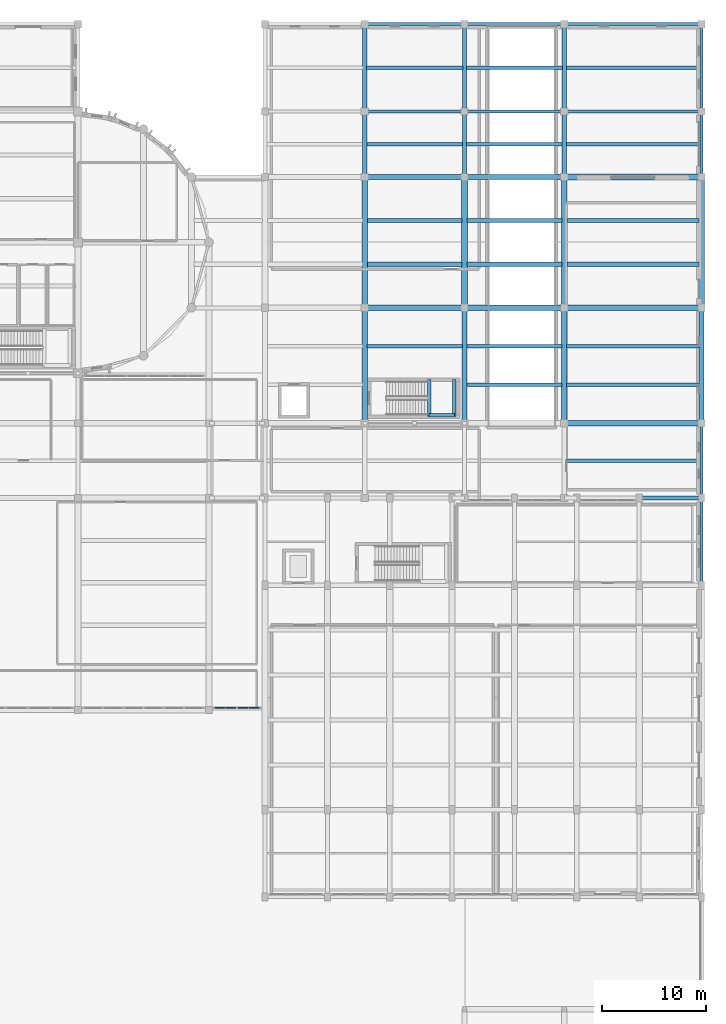
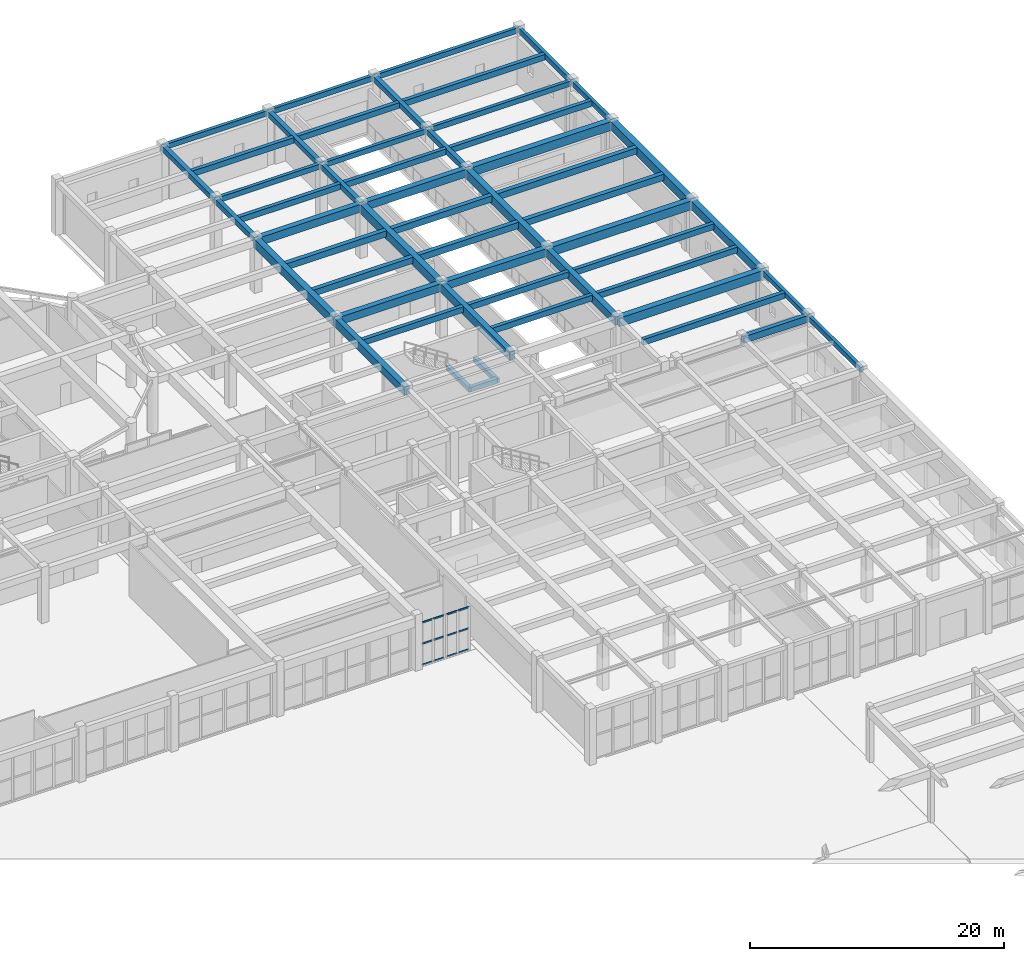
# One storey, part 57 of 98: 53 beams, 12 members, 2 elements without a shape of their own.
"""IFC4 building model written with IfcOpenShell, lengths in metres."""

from ifc_helpers import new_model, si_unit, direction, frame, origin, origin_2d, place, context, subcontext, project, spatial, rectangle, hollow_rectangle, extrude, material, layer, layer_set, material_profile, profile_set, type_object, element, aggregate, save


model = new_model("IFC4")

# Units and contexts
model_context = context("Model", 3, precision=1e-05, world=origin(), true_north=direction((0.0, 1.0)))
body_context = subcontext(model_context, "Body", "Model", "MODEL_VIEW")
ifc_project = project(units=[si_unit("LENGTHUNIT", "METRE"), si_unit("AREAUNIT", "SQUARE_METRE"), si_unit("VOLUMEUNIT", "CUBIC_METRE"), si_unit("PLANEANGLEUNIT", "RADIAN"), si_unit("MASSUNIT", "GRAM", prefix="KILO")], contexts=[model_context])

# Site, building, storey
site_placement = place(None, origin())
site = spatial("IfcSite", under=ifc_project, at=site_placement, CompositionType="ELEMENT")
building_placement = place(site_placement, origin())
building = spatial("IfcBuilding", under=site, at=building_placement, Name="Tarnavel Promenade Courthouse", CompositionType="ELEMENT")
storey_placement = place(building_placement, origin())
storey = spatial("IfcBuildingStorey", under=building, at=storey_placement, Name="L01", CompositionType="ELEMENT", Elevation=0.0)

# Beams
ifc_material_1 = material(Name="Concrete C40/50", Category="concrete")
ifc_material_profile_1 = material_profile(ifc_material_1, rectangle(XDim=0.35009765625, YDim=0.550048828125, at=origin_2d()), Name="PT 350x550")
ifc_profile_set_1 = profile_set([ifc_material_profile_1], Name="Concrete C40/50")
beam_type_1 = type_object("IfcBeamType", Name="Concrete C40/50 BM-PT-350x550 (PT 350x550)", PredefinedType="JOIST", material=ifc_profile_set_1)
beam_1_placement = place(storey_placement, frame((148.969970703125, 70.800048828125, 4.860107421875), z_axis=(1.0, 0.0, 0.0), x_axis=(0.0, 1.0, 0.0)))
element("IfcBeam", 1, at=beam_1_placement, inside=storey, type_object=beam_type_1, Name="L01 Secondary Floor Rib 0945", PredefinedType="JOIST", context=body_context, shape_type="SweptSolid", body=[
    extrude(rectangle(XDim=0.35009765625, YDim=0.550048828125, at=origin_2d()), origin(), (0.0, 0.0, 1.0), 12.909912109375),
])
beam_2_placement = place(storey_placement, frame((129.820068359375, 81.800048828125, 4.860107421875), z_axis=(1.0, 0.0, 0.0), x_axis=(0.0, 1.0, 0.0)))
element("IfcBeam", 2, at=beam_2_placement, inside=storey, type_object=beam_type_1, Name="L01 Secondary Floor Rib 0956", PredefinedType="JOIST", context=body_context, shape_type="SweptSolid", body=[
    extrude(rectangle(XDim=0.35009765625, YDim=0.550048828125, at=origin_2d()), origin(), (0.0, 0.0, 1.0), 9.159912109375),
])
for number, where, z_axis, x_axis, name in (
    (3, (139.419921875, 78.10009765625, 4.860107421875), (1.0, 0.0, 0.0), (0.0, 1.0, 0.0), "L01 Secondary Floor Rib 0957"),
    (4, (139.419921875, 81.800048828125, 4.860107421875), (1.0, 0.0, 0.0), (0.0, 1.0, 0.0), "L01 Secondary Floor Rib 0958"),
):
    element("IfcBeam", number, at=place(storey_placement, frame(where, z_axis=z_axis, x_axis=x_axis)), inside=storey, type_object=beam_type_1, Name=name, PredefinedType="JOIST", context=body_context, shape_type="SweptSolid", body=[
        extrude(rectangle(XDim=0.35009765625, YDim=0.550048828125, at=origin_2d()), origin(), (0.0, 0.0, 1.0), 9.16015625),
    ])
for number, where, z_axis, x_axis, name in (
    (5, (149.02001953125, 78.10009765625, 4.860107421875), (1.0, 0.0, 0.0), (0.0, 1.0, 0.0), "L01 Secondary Floor Rib 0959"),
    (6, (149.02001953125, 81.800048828125, 4.860107421875), (1.0, 0.0, 0.0), (0.0, 1.0, 0.0), "L01 Secondary Floor Rib 0960"),
):
    element("IfcBeam", number, at=place(storey_placement, frame(where, z_axis=z_axis, x_axis=x_axis)), inside=storey, type_object=beam_type_1, Name=name, PredefinedType="JOIST", context=body_context, shape_type="SweptSolid", body=[
        extrude(rectangle(XDim=0.35009765625, YDim=0.550048828125, at=origin_2d()), origin(), (0.0, 0.0, 1.0), 12.760009765625),
    ])
beam_3_placement = place(storey_placement, frame((129.77001953125, 108.60009765625, 4.860107421875), z_axis=(1.0, 0.0, 0.0), x_axis=(0.0, 1.0, 0.0)))
element("IfcBeam", 7, at=beam_3_placement, inside=storey, type_object=beam_type_1, Name="L01 Secondary Floor Rib 1015", PredefinedType="JOIST", context=body_context, shape_type="SweptSolid", body=[
    extrude(rectangle(XDim=0.35009765625, YDim=0.550048828125, at=origin_2d()), origin(), (0.0, 0.0, 1.0), 9.260009765625),
])
beam_4_placement = place(storey_placement, frame((139.3701171875, 108.60009765625, 4.860107421875), z_axis=(1.0, 0.0, 0.0), x_axis=(0.0, 1.0, 0.0)))
element("IfcBeam", 8, at=beam_4_placement, inside=storey, type_object=beam_type_1, Name="L01 Secondary Floor Rib 1016", PredefinedType="JOIST", context=body_context, shape_type="SweptSolid", body=[
    extrude(rectangle(XDim=0.35009765625, YDim=0.550048828125, at=origin_2d()), origin(), (0.0, 0.0, 1.0), 9.259765625),
])
beam_5_placement = place(storey_placement, frame((148.969970703125, 108.60009765625, 4.860107421875), z_axis=(1.0, 0.0, 0.0), x_axis=(0.0, 1.0, 0.0)))
element("IfcBeam", 9, at=beam_5_placement, inside=storey, type_object=beam_type_1, Name="L01 Secondary Floor Rib 1017", PredefinedType="JOIST", context=body_context, shape_type="SweptSolid", body=[
    extrude(rectangle(XDim=0.35009765625, YDim=0.550048828125, at=origin_2d()), origin(), (0.0, 0.0, 1.0), 12.909912109375),
])
beam_6_placement = place(storey_placement, frame((129.77001953125, 101.25, 4.860107421875), z_axis=(1.0, 0.0, 0.0), x_axis=(0.0, 1.0, 0.0)))
element("IfcBeam", 10, at=beam_6_placement, inside=storey, type_object=beam_type_1, Name="L01 Secondary Floor Rib 1051", PredefinedType="JOIST", context=body_context, shape_type="SweptSolid", body=[
    extrude(rectangle(XDim=0.35009765625, YDim=0.550048828125, at=origin_2d()), origin(), (0.0, 0.0, 1.0), 9.260009765625),
])
beam_7_placement = place(storey_placement, frame((139.3701171875, 101.25, 4.860107421875), z_axis=(1.0, 0.0, 0.0), x_axis=(0.0, 1.0, 0.0)))
element("IfcBeam", 11, at=beam_7_placement, inside=storey, type_object=beam_type_1, Name="L01 Secondary Floor Rib 1052", PredefinedType="JOIST", context=body_context, shape_type="SweptSolid", body=[
    extrude(rectangle(XDim=0.35009765625, YDim=0.550048828125, at=origin_2d()), origin(), (0.0, 0.0, 1.0), 9.259765625),
])
beam_8_placement = place(storey_placement, frame((148.969970703125, 101.25, 4.860107421875), z_axis=(1.0, 0.0, 0.0), x_axis=(0.0, 1.0, 0.0)))
element("IfcBeam", 12, at=beam_8_placement, inside=storey, type_object=beam_type_1, Name="L01 Secondary Floor Rib 1053", PredefinedType="JOIST", context=body_context, shape_type="SweptSolid", body=[
    extrude(rectangle(XDim=0.35009765625, YDim=0.550048828125, at=origin_2d()), origin(), (0.0, 0.0, 1.0), 12.909912109375),
])
ifc_material_profile_2 = material_profile(ifc_material_1, rectangle(XDim=0.39990234375, YDim=0.60009765625, at=origin_2d()), Name="PT 400x600")
ifc_profile_set_2 = profile_set([ifc_material_profile_2], Name="Concrete C40/50")
beam_type_2 = type_object("IfcBeamType", Name="Concrete C40/50 BM-PT-400x600 (PT 400x600)", PredefinedType="JOIST", material=ifc_profile_set_2)
for number, where, z_axis, x_axis, name in (
    (13, (129.844970703125, 89.699951171875, 4.8349609375), (1.0, 0.0, 0.0), (0.0, 1.0, 0.0), "L01 Secondary Floor Rib 0975"),
    (14, (129.844970703125, 93.89990234375, 4.8349609375), (1.0, 0.0, 0.0), (0.0, 1.0, 0.0), "L01 Secondary Floor Rib 0976"),
):
    element("IfcBeam", number, at=place(storey_placement, frame(where, z_axis=z_axis, x_axis=x_axis)), inside=storey, type_object=beam_type_2, Name=name, PredefinedType="JOIST", context=body_context, shape_type="SweptSolid", body=[
        extrude(rectangle(XDim=0.39990234375, YDim=0.60009765625, at=origin_2d()), origin(), (0.0, 0.0, 1.0), 9.110107421875),
    ])
for number, where, z_axis, x_axis, name in (
    (15, (139.445068359375, 89.699951171875, 4.8349609375), (1.0, 0.0, 0.0), (0.0, 1.0, 0.0), "L01 Secondary Floor Rib 0977"),
    (16, (139.445068359375, 93.89990234375, 4.8349609375), (1.0, 0.0, 0.0), (0.0, 1.0, 0.0), "L01 Secondary Floor Rib 0978"),
):
    element("IfcBeam", number, at=place(storey_placement, frame(where, z_axis=z_axis, x_axis=x_axis)), inside=storey, type_object=beam_type_2, Name=name, PredefinedType="JOIST", context=body_context, shape_type="SweptSolid", body=[
        extrude(rectangle(XDim=0.39990234375, YDim=0.60009765625, at=origin_2d()), origin(), (0.0, 0.0, 1.0), 9.10986328125),
    ])
for number, where, z_axis, x_axis, name in (
    (17, (149.044921875, 89.699951171875, 4.8349609375), (1.0, 0.0, 0.0), (0.0, 1.0, 0.0), "L01 Secondary Floor Rib 0979"),
    (18, (149.044921875, 93.89990234375, 4.8349609375), (1.0, 0.0, 0.0), (0.0, 1.0, 0.0), "L01 Secondary Floor Rib 0980"),
):
    element("IfcBeam", number, at=place(storey_placement, frame(where, z_axis=z_axis, x_axis=x_axis)), inside=storey, type_object=beam_type_2, Name=name, PredefinedType="JOIST", context=body_context, shape_type="SweptSolid", body=[
        extrude(rectangle(XDim=0.39990234375, YDim=0.60009765625, at=origin_2d()), origin(), (0.0, 0.0, 1.0), 12.7099609375),
    ])
ifc_material_profile_3 = material_profile(ifc_material_1, rectangle(XDim=0.5, YDim=0.800048828125, at=origin_2d()), Name="PT 500x800")
ifc_profile_set_3 = profile_set([ifc_material_profile_3], Name="Concrete C40/50")
beam_type_3 = type_object("IfcBeamType", Name="Concrete C40/50 BM-PT-500x800 (PT 500x800)", PredefinedType="T_BEAM", material=ifc_profile_set_3)
for number, where, z_axis, x_axis, name in (
    (19, (129.60009765625, 74.39990234375, 4.735107421875), (0.0, 1.0, 0.0), (-1.0, 0.0, 0.0), "L01 Transverse Girder 0846"),
    (20, (139.199951171875, 74.39990234375, 4.735107421875), (0.0, 1.0, 0.0), (-1.0, 0.0, 0.0), "L01 Transverse Girder 0859"),
    (21, (148.800048828125, 74.39990234375, 4.735107421875), (0.0, 1.0, 0.0), (-1.0, 0.0, 0.0), "L01 Transverse Girder 0869"),
    (22, (162.0, 74.39990234375, 4.735107421875), (0.0, 1.0, 0.0), (-1.0, 0.0, 0.0), "L01 Transverse Girder 0886"),
):
    element("IfcBeam", number, at=place(storey_placement, frame(where, z_axis=z_axis, x_axis=x_axis)), inside=storey, type_object=beam_type_3, Name=name, PredefinedType="T_BEAM", context=body_context, shape_type="SweptSolid", body=[
        extrude(rectangle(XDim=0.5, YDim=0.800048828125, at=origin_2d()), origin(), (0.0, 0.0, 1.0), 11.10009765625),
    ])
ifc_material_profile_4 = material_profile(ifc_material_1, rectangle(XDim=0.550048828125, YDim=0.85009765625, at=origin_2d()), Name="PT 550x850")
ifc_profile_set_4 = profile_set([ifc_material_profile_4], Name="Concrete C40/50")
beam_type_4 = type_object("IfcBeamType", Name="Concrete C40/50 BM-PT-550x850 (PT 550x850)", PredefinedType="T_BEAM", material=ifc_profile_set_4)
for number, where, z_axis, x_axis, name in (
    (23, (148.800048828125, 74.39990234375, 4.7099609375), (1.0, 0.0, 0.0), (0.0, 1.0, 0.0), "L01 Primary Longitudinal Beam 0676"),
    (24, (148.800048828125, 85.5, 4.7099609375), (1.0, 0.0, 0.0), (0.0, 1.0, 0.0), "L01 Primary Longitudinal Beam 0692"),
    (25, (148.800048828125, 98.10009765625, 4.7099609375), (1.0, 0.0, 0.0), (0.0, 1.0, 0.0), "L01 Primary Longitudinal Beam 0710"),
):
    element("IfcBeam", number, at=place(storey_placement, frame(where, z_axis=z_axis, x_axis=x_axis)), inside=storey, type_object=beam_type_4, Name=name, PredefinedType="T_BEAM", context=body_context, shape_type="SweptSolid", body=[
        extrude(rectangle(XDim=0.550048828125, YDim=0.85009765625, at=origin_2d()), origin(), (0.0, 0.0, 1.0), 13.199951171875),
    ])
for number, where, z_axis, x_axis, name in (
    (26, (129.60009765625, 85.5, 4.7099609375), (0.0, 1.0, 0.0), (-1.0, 0.0, 0.0), "L01 Transverse Girder 0847"),
    (27, (139.199951171875, 85.5, 4.7099609375), (0.0, 1.0, 0.0), (-1.0, 0.0, 0.0), "L01 Transverse Girder 0860"),
    (28, (148.800048828125, 85.5, 4.7099609375), (0.0, 1.0, 0.0), (-1.0, 0.0, 0.0), "L01 Transverse Girder 0870"),
    (29, (162.0, 85.5, 4.7099609375), (0.0, 1.0, 0.0), (-1.0, 0.0, 0.0), "L01 Transverse Girder 0887"),
):
    element("IfcBeam", number, at=place(storey_placement, frame(where, z_axis=z_axis, x_axis=x_axis)), inside=storey, type_object=beam_type_4, Name=name, PredefinedType="T_BEAM", context=body_context, shape_type="SweptSolid", body=[
        extrude(rectangle(XDim=0.550048828125, YDim=0.85009765625, at=origin_2d()), origin(), (0.0, 0.0, 1.0), 12.60009765625),
    ])
ifc_material_profile_5 = material_profile(ifc_material_1, rectangle(XDim=0.35009765625, YDim=0.449951171875, at=origin_2d()), Name="RC 350x450")
ifc_profile_set_5 = profile_set([ifc_material_profile_5], Name="Concrete C40/50")
beam_type_5 = type_object("IfcBeamType", Name="Concrete C40/50 BM-RC-350x450 (RC 350x450)", PredefinedType="BEAM", material=ifc_profile_set_5)
for number, where, z_axis, x_axis, name in (
    (30, (135.800048828125, 75.02001953125, 2.27001953125), (0.0, 1.0, 0.0), (-1.0, 0.0, 0.0), "L01 ST-06 Mid-Landing Support Beam Near"),
    (31, (138.219970703125, 75.02001953125, 2.27001953125), (0.0, 1.0, 0.0), (-1.0, 0.0, 0.0), "L01 ST-06 Mid-Landing Support Beam Far"),
):
    element("IfcBeam", number, at=place(storey_placement, frame(where, z_axis=z_axis, x_axis=x_axis)), inside=storey, type_object=beam_type_5, Name=name, PredefinedType="BEAM", context=body_context, shape_type="SweptSolid", body=[
        extrude(rectangle(XDim=0.35009765625, YDim=0.449951171875, at=origin_2d()), origin(), (0.0, 0.0, 1.0), 3.56005859375),
    ])
beam_9_placement = place(storey_placement, frame((135.800048828125, 75.169921875, 2.27001953125), z_axis=(1.0, 0.0, 0.0), x_axis=(0.0, 1.0, 0.0)))
element("IfcBeam", 32, at=beam_9_placement, inside=storey, type_object=beam_type_5, Name="L01 ST-06 Mid-Landing Edge Trimmer", PredefinedType="BEAM", context=body_context, shape_type="SweptSolid", body=[
    extrude(rectangle(XDim=0.35009765625, YDim=0.449951171875, at=origin_2d()), origin(), (0.0, 0.0, 1.0), 2.419921875),
])
ifc_material_profile_6 = material_profile(ifc_material_1, rectangle(XDim=0.39990234375, YDim=0.5, at=origin_2d()), Name="RC 400x500")
ifc_profile_set_6 = profile_set([ifc_material_profile_6], Name="Concrete C40/50")
beam_type_6 = type_object("IfcBeamType", Name="Concrete C40/50 BM-RC-400x500 (RC 400x500)", PredefinedType="BEAM", material=ifc_profile_set_6)
beam_10_placement = place(storey_placement, frame((129.60009765625, 98.10009765625, 4.885009765625), z_axis=(0.0, 1.0, 0.0), x_axis=(-1.0, 0.0, 0.0)))
element("IfcBeam", 33, at=beam_10_placement, inside=storey, type_object=beam_type_6, Name="L01 Transverse Girder 0848", PredefinedType="BEAM", context=body_context, shape_type="SweptSolid", body=[
    extrude(rectangle(XDim=0.39990234375, YDim=0.5, at=origin_2d()), origin(), (0.0, 0.0, 1.0), 6.2998046875),
])
beam_11_placement = place(storey_placement, frame((129.60009765625, 104.39990234375, 4.885009765625), z_axis=(0.0, 1.0, 0.0), x_axis=(-1.0, 0.0, 0.0)))
element("IfcBeam", 34, at=beam_11_placement, inside=storey, type_object=beam_type_6, Name="L01 Transverse Girder 0849", PredefinedType="BEAM", context=body_context, shape_type="SweptSolid", body=[
    extrude(rectangle(XDim=0.39990234375, YDim=0.5, at=origin_2d()), origin(), (0.0, 0.0, 1.0), 8.400146484375),
])
beam_12_placement = place(storey_placement, frame((139.199951171875, 98.10009765625, 4.885009765625), z_axis=(0.0, 1.0, 0.0), x_axis=(-1.0, 0.0, 0.0)))
element("IfcBeam", 35, at=beam_12_placement, inside=storey, type_object=beam_type_6, Name="L01 Transverse Girder 0861", PredefinedType="BEAM", context=body_context, shape_type="SweptSolid", body=[
    extrude(rectangle(XDim=0.39990234375, YDim=0.5, at=origin_2d()), origin(), (0.0, 0.0, 1.0), 6.2998046875),
])
beam_13_placement = place(storey_placement, frame((139.199951171875, 104.39990234375, 4.885009765625), z_axis=(0.0, 1.0, 0.0), x_axis=(-1.0, 0.0, 0.0)))
element("IfcBeam", 36, at=beam_13_placement, inside=storey, type_object=beam_type_6, Name="L01 Transverse Girder 0862", PredefinedType="BEAM", context=body_context, shape_type="SweptSolid", body=[
    extrude(rectangle(XDim=0.39990234375, YDim=0.5, at=origin_2d()), origin(), (0.0, 0.0, 1.0), 8.400146484375),
])
beam_14_placement = place(storey_placement, frame((148.800048828125, 98.10009765625, 4.885009765625), z_axis=(0.0, 1.0, 0.0), x_axis=(-1.0, 0.0, 0.0)))
element("IfcBeam", 37, at=beam_14_placement, inside=storey, type_object=beam_type_6, Name="L01 Transverse Girder 0871", PredefinedType="BEAM", context=body_context, shape_type="SweptSolid", body=[
    extrude(rectangle(XDim=0.39990234375, YDim=0.5, at=origin_2d()), origin(), (0.0, 0.0, 1.0), 6.2998046875),
])
beam_15_placement = place(storey_placement, frame((148.800048828125, 104.39990234375, 4.885009765625), z_axis=(0.0, 1.0, 0.0), x_axis=(-1.0, 0.0, 0.0)))
element("IfcBeam", 38, at=beam_15_placement, inside=storey, type_object=beam_type_6, Name="L01 Transverse Girder 0872", PredefinedType="BEAM", context=body_context, shape_type="SweptSolid", body=[
    extrude(rectangle(XDim=0.39990234375, YDim=0.5, at=origin_2d()), origin(), (0.0, 0.0, 1.0), 8.400146484375),
])
ifc_material_profile_7 = material_profile(ifc_material_1, rectangle(XDim=0.39990234375, YDim=0.64990234375, at=origin_2d()), Name="RC 400x650")
ifc_profile_set_7 = profile_set([ifc_material_profile_7], Name="Concrete C40/50")
beam_type_7 = type_object("IfcBeamType", Name="Concrete C40/50 BM-RC-400x650 (RC 400x650)", PredefinedType="BEAM", material=ifc_profile_set_7)
beam_16_placement = place(storey_placement, frame((156.0, 67.199951171875, 4.81005859375), z_axis=(1.0, 0.0, 0.0), x_axis=(0.0, 1.0, 0.0)))
element("IfcBeam", 39, at=beam_16_placement, inside=storey, type_object=beam_type_7, Name="L01 Primary Longitudinal Beam 0659", PredefinedType="BEAM", context=body_context, shape_type="SweptSolid", body=[
    extrude(rectangle(XDim=0.39990234375, YDim=0.64990234375, at=origin_2d()), origin(), (0.0, 0.0, 1.0), 6.0),
])
ifc_material_profile_8 = material_profile(ifc_material_1, rectangle(XDim=0.5, YDim=0.75, at=origin_2d()), Name="RC 500x750")
ifc_profile_set_8 = profile_set([ifc_material_profile_8], Name="Concrete C40/50")
beam_type_8 = type_object("IfcBeamType", Name="Concrete C40/50 BM-RC-500x750 (RC 500x750)", PredefinedType="T_BEAM", material=ifc_profile_set_8)
beam_17_placement = place(storey_placement, frame((129.60009765625, 85.5, 4.760009765625), z_axis=(1.0, 0.0, 0.0), x_axis=(0.0, 1.0, 0.0)))
element("IfcBeam", 40, at=beam_17_placement, inside=storey, type_object=beam_type_8, Name="L01 Primary Longitudinal Beam 0690", PredefinedType="T_BEAM", context=body_context, shape_type="SweptSolid", body=[
    extrude(rectangle(XDim=0.5, YDim=0.75, at=origin_2d()), origin(), (0.0, 0.0, 1.0), 9.599853515625),
])
beam_18_placement = place(storey_placement, frame((139.199951171875, 85.5, 4.760009765625), z_axis=(1.0, 0.0, 0.0), x_axis=(0.0, 1.0, 0.0)))
element("IfcBeam", 41, at=beam_18_placement, inside=storey, type_object=beam_type_8, Name="L01 Primary Longitudinal Beam 0691", PredefinedType="T_BEAM", context=body_context, shape_type="SweptSolid", body=[
    extrude(rectangle(XDim=0.5, YDim=0.75, at=origin_2d()), origin(), (0.0, 0.0, 1.0), 9.60009765625),
])
beam_19_placement = place(storey_placement, frame((129.60009765625, 98.10009765625, 4.760009765625), z_axis=(1.0, 0.0, 0.0), x_axis=(0.0, 1.0, 0.0)))
element("IfcBeam", 42, at=beam_19_placement, inside=storey, type_object=beam_type_8, Name="L01 Primary Longitudinal Beam 0708", PredefinedType="T_BEAM", context=body_context, shape_type="SweptSolid", body=[
    extrude(rectangle(XDim=0.5, YDim=0.75, at=origin_2d()), origin(), (0.0, 0.0, 1.0), 9.599853515625),
])
beam_20_placement = place(storey_placement, frame((139.199951171875, 98.10009765625, 4.760009765625), z_axis=(1.0, 0.0, 0.0), x_axis=(0.0, 1.0, 0.0)))
element("IfcBeam", 43, at=beam_20_placement, inside=storey, type_object=beam_type_8, Name="L01 Primary Longitudinal Beam 0709", PredefinedType="T_BEAM", context=body_context, shape_type="SweptSolid", body=[
    extrude(rectangle(XDim=0.5, YDim=0.75, at=origin_2d()), origin(), (0.0, 0.0, 1.0), 9.60009765625),
])
ifc_material_profile_9 = material_profile(ifc_material_1, rectangle(XDim=0.300048828125, YDim=0.5, at=origin_2d()), Name="RC 300x500")
ifc_profile_set_9 = profile_set([ifc_material_profile_9], Name="Concrete C40/50")
beam_type_9 = type_object("IfcBeamType", Name="Concrete C40/50 BM-SP-300x500 (RC 300x500)", PredefinedType="SPANDREL", material=ifc_profile_set_9)
beam_21_placement = place(storey_placement, frame((129.60009765625, 104.39990234375, 4.885009765625), z_axis=(1.0, 0.0, 0.0), x_axis=(0.0, 1.0, 0.0)))
element("IfcBeam", 44, at=beam_21_placement, inside=storey, type_object=beam_type_9, Name="L01 Primary Longitudinal Beam 0717", PredefinedType="SPANDREL", context=body_context, shape_type="SweptSolid", body=[
    extrude(rectangle(XDim=0.300048828125, YDim=0.5, at=origin_2d()), origin(), (0.0, 0.0, 1.0), 9.599853515625),
])
beam_22_placement = place(storey_placement, frame((139.199951171875, 104.39990234375, 4.885009765625), z_axis=(1.0, 0.0, 0.0), x_axis=(0.0, 1.0, 0.0)))
element("IfcBeam", 45, at=beam_22_placement, inside=storey, type_object=beam_type_9, Name="L01 Primary Longitudinal Beam 0718", PredefinedType="SPANDREL", context=body_context, shape_type="SweptSolid", body=[
    extrude(rectangle(XDim=0.300048828125, YDim=0.5, at=origin_2d()), origin(), (0.0, 0.0, 1.0), 9.60009765625),
])
beam_23_placement = place(storey_placement, frame((148.800048828125, 104.39990234375, 4.885009765625), z_axis=(1.0, 0.0, 0.0), x_axis=(0.0, 1.0, 0.0)))
element("IfcBeam", 46, at=beam_23_placement, inside=storey, type_object=beam_type_9, Name="L01 Primary Longitudinal Beam 0719", PredefinedType="SPANDREL", context=body_context, shape_type="SweptSolid", body=[
    extrude(rectangle(XDim=0.300048828125, YDim=0.5, at=origin_2d()), origin(), (0.0, 0.0, 1.0), 13.199951171875),
])
beam_24_placement = place(storey_placement, frame((129.60009765625, 112.800048828125, 4.885009765625), z_axis=(1.0, 0.0, 0.0), x_axis=(0.0, 1.0, 0.0)))
element("IfcBeam", 47, at=beam_24_placement, inside=storey, type_object=beam_type_9, Name="L01 Primary Longitudinal Beam 0732", PredefinedType="SPANDREL", context=body_context, shape_type="SweptSolid", body=[
    extrude(rectangle(XDim=0.300048828125, YDim=0.5, at=origin_2d()), origin(), (0.0, 0.0, 1.0), 9.599853515625),
])
beam_25_placement = place(storey_placement, frame((139.199951171875, 112.800048828125, 4.885009765625), z_axis=(1.0, 0.0, 0.0), x_axis=(0.0, 1.0, 0.0)))
element("IfcBeam", 48, at=beam_25_placement, inside=storey, type_object=beam_type_9, Name="L01 Primary Longitudinal Beam 0733", PredefinedType="SPANDREL", context=body_context, shape_type="SweptSolid", body=[
    extrude(rectangle(XDim=0.300048828125, YDim=0.5, at=origin_2d()), origin(), (0.0, 0.0, 1.0), 9.60009765625),
])
beam_26_placement = place(storey_placement, frame((148.800048828125, 112.800048828125, 4.885009765625), z_axis=(1.0, 0.0, 0.0), x_axis=(0.0, 1.0, 0.0)))
element("IfcBeam", 49, at=beam_26_placement, inside=storey, type_object=beam_type_9, Name="L01 Primary Longitudinal Beam 0734", PredefinedType="SPANDREL", context=body_context, shape_type="SweptSolid", body=[
    extrude(rectangle(XDim=0.300048828125, YDim=0.5, at=origin_2d()), origin(), (0.0, 0.0, 1.0), 13.199951171875),
])
beam_27_placement = place(storey_placement, frame((162.0, 58.800048828125, 4.885009765625), z_axis=(0.0, 1.0, 0.0), x_axis=(-1.0, 0.0, 0.0)))
element("IfcBeam", 50, at=beam_27_placement, inside=storey, type_object=beam_type_9, Name="L01 Transverse Girder 0884", PredefinedType="SPANDREL", context=body_context, shape_type="SweptSolid", body=[
    extrude(rectangle(XDim=0.300048828125, YDim=0.5, at=origin_2d()), origin(), (0.0, 0.0, 1.0), 8.39990234375),
])
beam_28_placement = place(storey_placement, frame((162.0, 67.199951171875, 4.885009765625), z_axis=(0.0, 1.0, 0.0), x_axis=(-1.0, 0.0, 0.0)))
element("IfcBeam", 51, at=beam_28_placement, inside=storey, type_object=beam_type_9, Name="L01 Transverse Girder 0885", PredefinedType="SPANDREL", context=body_context, shape_type="SweptSolid", body=[
    extrude(rectangle(XDim=0.300048828125, YDim=0.5, at=origin_2d()), origin(), (0.0, 0.0, 1.0), 7.199951171875),
])
beam_29_placement = place(storey_placement, frame((162.0, 98.10009765625, 4.885009765625), z_axis=(0.0, 1.0, 0.0), x_axis=(-1.0, 0.0, 0.0)))
element("IfcBeam", 52, at=beam_29_placement, inside=storey, type_object=beam_type_9, Name="L01 Transverse Girder 0888", PredefinedType="SPANDREL", context=body_context, shape_type="SweptSolid", body=[
    extrude(rectangle(XDim=0.300048828125, YDim=0.5, at=origin_2d()), origin(), (0.0, 0.0, 1.0), 6.2998046875),
])
beam_30_placement = place(storey_placement, frame((162.0, 104.39990234375, 4.885009765625), z_axis=(0.0, 1.0, 0.0), x_axis=(-1.0, 0.0, 0.0)))
element("IfcBeam", 53, at=beam_30_placement, inside=storey, type_object=beam_type_9, Name="L01 Transverse Girder 0889", PredefinedType="SPANDREL", context=body_context, shape_type="SweptSolid", body=[
    extrude(rectangle(XDim=0.300048828125, YDim=0.5, at=origin_2d()), origin(), (0.0, 0.0, 1.0), 8.400146484375),
])

# Curtain wall, members
ifc_material_2 = material(Name="Thermally Broken Anodised Aluminium Curtain Wall System", Category="aluminium")
ifc_layer = layer(ifc_material_2, 0.239990234375)
ifc_layer_set = layer_set([ifc_layer], Name="Thermally Broken Anodised Aluminium Curtain Wall System")
curtain_wall_type = type_object("IfcCurtainWallType", Name="Thermally Broken Aluminium Triple-Glazed Curtain Wall CW-WG-S", PredefinedType="NOTDEFINED", material=ifc_layer_set)
curtain_wall_1_placement = place(storey_placement, origin())
curtain_wall_1 = element("IfcCurtainWall", 54, at=curtain_wall_1_placement, inside=storey, type_object=curtain_wall_type, Name="L01 Winter-Garden South Solar Curtain Wall 060", PredefinedType="NOTDEFINED")
ifc_material_3 = material(Name="Thermally Broken Anodised Aluminium Frame", Category="aluminium")
ifc_material_profile_10 = material_profile(ifc_material_3, hollow_rectangle(XDim=0.080078125, YDim=0.159912109375, WallThickness=0.0048828125, InnerFilletRadius=0.0048828125, OuterFilletRadius=0.010009765625, at=origin_2d()), Name="CWT 160x80x5")
ifc_profile_set_10 = profile_set([ifc_material_profile_10], Name="Thermally Broken Anodised Aluminium Frame")
member_type = type_object("IfcMemberType", Name="Thermally Broken Anodised Aluminium CWT-145 (CWT 160x80x5)", PredefinedType="USERDEFINED", material=ifc_profile_set_10)
member_1_placement = place(storey_placement, frame((115.179931640625, 47.0, 0.0400390625), z_axis=(1.0, 0.0, 0.0), x_axis=(0.0, 1.0, 0.0)))
member_1 = element("IfcMember", 55, at=member_1_placement, type_object=member_type, Name="CW-02 transom 1.1", ObjectType="TRANSOM", PredefinedType="USERDEFINED", context=body_context, shape_type="SweptSolid", body=[
    extrude(hollow_rectangle(XDim=0.080078125, YDim=0.159912109375, WallThickness=0.0048828125, InnerFilletRadius=0.0048828125, OuterFilletRadius=0.010009765625, at=origin_2d()), origin(), (0.0, 0.0, 1.0), 0.949951171875),
])
member_2_placement = place(storey_placement, frame((115.179931640625, 47.0, 2.06494140625), z_axis=(1.0, 0.0, 0.0), x_axis=(0.0, 1.0, 0.0)))
member_2 = element("IfcMember", 56, at=member_2_placement, type_object=member_type, Name="CW-02 transom 1.2", ObjectType="TRANSOM", PredefinedType="USERDEFINED", context=body_context, shape_type="SweptSolid", body=[
    extrude(hollow_rectangle(XDim=0.080078125, YDim=0.159912109375, WallThickness=0.0048828125, InnerFilletRadius=0.0048828125, OuterFilletRadius=0.010009765625, at=origin_2d()), origin(), (0.0, 0.0, 1.0), 0.949951171875),
])
member_3_placement = place(storey_placement, frame((115.179931640625, 47.0, 4.090087890625), z_axis=(1.0, 0.0, 0.0), x_axis=(0.0, 1.0, 0.0)))
member_3 = element("IfcMember", 57, at=member_3_placement, type_object=member_type, Name="CW-02 transom 1.3", ObjectType="TRANSOM", PredefinedType="USERDEFINED", context=body_context, shape_type="SweptSolid", body=[
    extrude(hollow_rectangle(XDim=0.080078125, YDim=0.159912109375, WallThickness=0.0048828125, InnerFilletRadius=0.0048828125, OuterFilletRadius=0.010009765625, at=origin_2d()), origin(), (0.0, 0.0, 1.0), 0.949951171875),
])
member_4_placement = place(storey_placement, frame((116.219970703125, 47.0, 0.0400390625), z_axis=(1.0, 0.0, 0.0), x_axis=(0.0, 1.0, 0.0)))
member_4 = element("IfcMember", 58, at=member_4_placement, type_object=member_type, Name="CW-02 transom 2.1", ObjectType="TRANSOM", PredefinedType="USERDEFINED", context=body_context, shape_type="SweptSolid", body=[
    extrude(hollow_rectangle(XDim=0.080078125, YDim=0.159912109375, WallThickness=0.0048828125, InnerFilletRadius=0.0048828125, OuterFilletRadius=0.010009765625, at=origin_2d()), origin(), (0.0, 0.0, 1.0), 0.949951171875),
])
member_5_placement = place(storey_placement, frame((116.219970703125, 47.0, 2.06494140625), z_axis=(1.0, 0.0, 0.0), x_axis=(0.0, 1.0, 0.0)))
member_5 = element("IfcMember", 59, at=member_5_placement, type_object=member_type, Name="CW-02 transom 2.2", ObjectType="TRANSOM", PredefinedType="USERDEFINED", context=body_context, shape_type="SweptSolid", body=[
    extrude(hollow_rectangle(XDim=0.080078125, YDim=0.159912109375, WallThickness=0.0048828125, InnerFilletRadius=0.0048828125, OuterFilletRadius=0.010009765625, at=origin_2d()), origin(), (0.0, 0.0, 1.0), 0.949951171875),
])
member_6_placement = place(storey_placement, frame((116.219970703125, 47.0, 4.090087890625), z_axis=(1.0, 0.0, 0.0), x_axis=(0.0, 1.0, 0.0)))
member_6 = element("IfcMember", 60, at=member_6_placement, type_object=member_type, Name="CW-02 transom 2.3", ObjectType="TRANSOM", PredefinedType="USERDEFINED", context=body_context, shape_type="SweptSolid", body=[
    extrude(hollow_rectangle(XDim=0.080078125, YDim=0.159912109375, WallThickness=0.0048828125, InnerFilletRadius=0.0048828125, OuterFilletRadius=0.010009765625, at=origin_2d()), origin(), (0.0, 0.0, 1.0), 0.949951171875),
])
aggregate(curtain_wall_1, [member_1, member_2, member_3, member_4, member_5, member_6])

curtain_wall_2_placement = place(storey_placement, origin())
curtain_wall_2 = element("IfcCurtainWall", 61, at=curtain_wall_2_placement, inside=storey, type_object=curtain_wall_type, Name="L01 Winter-Garden South Solar Curtain Wall 061", PredefinedType="NOTDEFINED")
member_7_placement = place(storey_placement, frame((117.429931640625, 47.0, 0.0400390625), z_axis=(1.0, 0.0, 0.0), x_axis=(0.0, 1.0, 0.0)))
member_7 = element("IfcMember", 62, at=member_7_placement, type_object=member_type, Name="CW-02 transom 1.1", ObjectType="TRANSOM", PredefinedType="USERDEFINED", context=body_context, shape_type="SweptSolid", body=[
    extrude(hollow_rectangle(XDim=0.080078125, YDim=0.159912109375, WallThickness=0.0048828125, InnerFilletRadius=0.0048828125, OuterFilletRadius=0.010009765625, at=origin_2d()), origin(), (0.0, 0.0, 1.0), 0.949951171875),
])
member_8_placement = place(storey_placement, frame((117.429931640625, 47.0, 2.06494140625), z_axis=(1.0, 0.0, 0.0), x_axis=(0.0, 1.0, 0.0)))
member_8 = element("IfcMember", 63, at=member_8_placement, type_object=member_type, Name="CW-02 transom 1.2", ObjectType="TRANSOM", PredefinedType="USERDEFINED", context=body_context, shape_type="SweptSolid", body=[
    extrude(hollow_rectangle(XDim=0.080078125, YDim=0.159912109375, WallThickness=0.0048828125, InnerFilletRadius=0.0048828125, OuterFilletRadius=0.010009765625, at=origin_2d()), origin(), (0.0, 0.0, 1.0), 0.949951171875),
])
member_9_placement = place(storey_placement, frame((117.429931640625, 47.0, 4.090087890625), z_axis=(1.0, 0.0, 0.0), x_axis=(0.0, 1.0, 0.0)))
member_9 = element("IfcMember", 64, at=member_9_placement, type_object=member_type, Name="CW-02 transom 1.3", ObjectType="TRANSOM", PredefinedType="USERDEFINED", context=body_context, shape_type="SweptSolid", body=[
    extrude(hollow_rectangle(XDim=0.080078125, YDim=0.159912109375, WallThickness=0.0048828125, InnerFilletRadius=0.0048828125, OuterFilletRadius=0.010009765625, at=origin_2d()), origin(), (0.0, 0.0, 1.0), 0.949951171875),
])
member_10_placement = place(storey_placement, frame((118.469970703125, 47.0, 0.0400390625), z_axis=(1.0, 0.0, 0.0), x_axis=(0.0, 1.0, 0.0)))
member_10 = element("IfcMember", 65, at=member_10_placement, type_object=member_type, Name="CW-02 transom 2.1", ObjectType="TRANSOM", PredefinedType="USERDEFINED", context=body_context, shape_type="SweptSolid", body=[
    extrude(hollow_rectangle(XDim=0.080078125, YDim=0.159912109375, WallThickness=0.0048828125, InnerFilletRadius=0.0048828125, OuterFilletRadius=0.010009765625, at=origin_2d()), origin(), (0.0, 0.0, 1.0), 0.949951171875),
])
member_11_placement = place(storey_placement, frame((118.469970703125, 47.0, 2.06494140625), z_axis=(1.0, 0.0, 0.0), x_axis=(0.0, 1.0, 0.0)))
member_11 = element("IfcMember", 66, at=member_11_placement, type_object=member_type, Name="CW-02 transom 2.2", ObjectType="TRANSOM", PredefinedType="USERDEFINED", context=body_context, shape_type="SweptSolid", body=[
    extrude(hollow_rectangle(XDim=0.080078125, YDim=0.159912109375, WallThickness=0.0048828125, InnerFilletRadius=0.0048828125, OuterFilletRadius=0.010009765625, at=origin_2d()), origin(), (0.0, 0.0, 1.0), 0.949951171875),
])
member_12_placement = place(storey_placement, frame((118.469970703125, 47.0, 4.090087890625), z_axis=(1.0, 0.0, 0.0), x_axis=(0.0, 1.0, 0.0)))
member_12 = element("IfcMember", 67, at=member_12_placement, type_object=member_type, Name="CW-02 transom 2.3", ObjectType="TRANSOM", PredefinedType="USERDEFINED", context=body_context, shape_type="SweptSolid", body=[
    extrude(hollow_rectangle(XDim=0.080078125, YDim=0.159912109375, WallThickness=0.0048828125, InnerFilletRadius=0.0048828125, OuterFilletRadius=0.010009765625, at=origin_2d()), origin(), (0.0, 0.0, 1.0), 0.949951171875),
])
aggregate(curtain_wall_2, [member_7, member_8, member_9, member_10, member_11, member_12])

save(model, "model.ifc")
